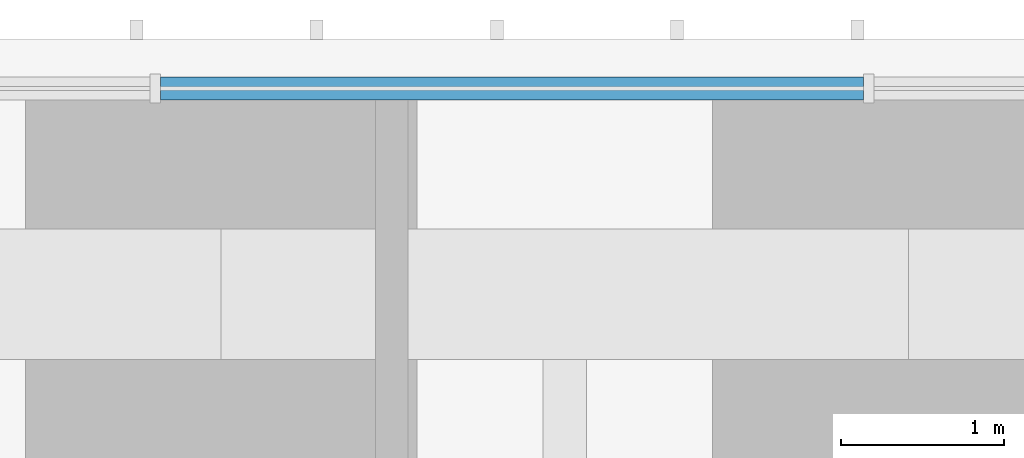
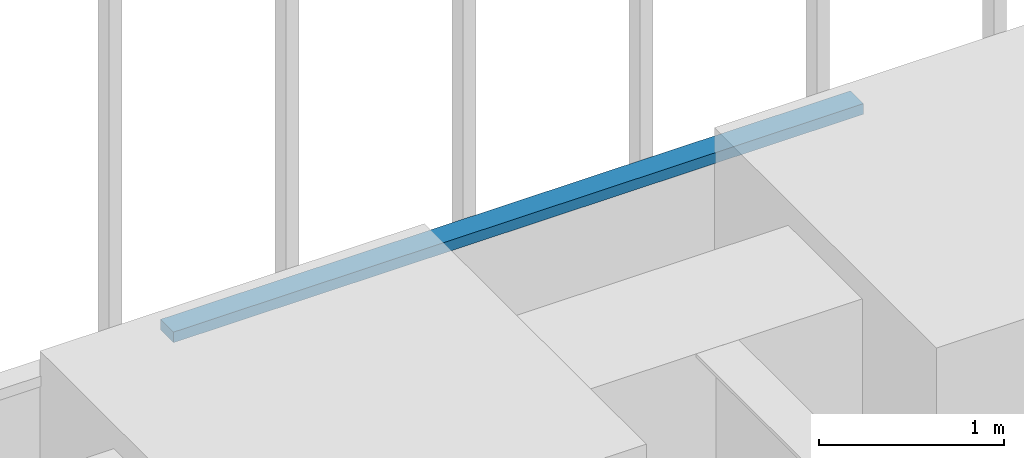
# One storey, part 177 of 256: 1 member, 1 element without a shape of its own.
"""IFC4 building model written with IfcOpenShell, lengths in metres."""

from ifc_helpers import new_model, si_unit, direction, frame, origin, origin_2d, place, context, subcontext, project, spatial, rectangle, extrude, material, material_profile, profile_set, type_object, element, aggregate, save


model = new_model("IFC4")

# Units and contexts
model_context = context("Model", 3, precision=1e-05, world=origin(), true_north=direction((0.0, 1.0)))
body_context = subcontext(model_context, "Body", "Model", "MODEL_VIEW")
ifc_project = project(units=[si_unit("LENGTHUNIT", "METRE"), si_unit("AREAUNIT", "SQUARE_METRE"), si_unit("VOLUMEUNIT", "CUBIC_METRE"), si_unit("PLANEANGLEUNIT", "RADIAN"), si_unit("MASSUNIT", "GRAM", prefix="KILO")], contexts=[model_context])

# Site, building, storey
site_placement = place(None, origin())
site = spatial("IfcSite", under=ifc_project, at=site_placement, CompositionType="ELEMENT")
building_placement = place(site_placement, origin())
building = spatial("IfcBuilding", under=site, at=building_placement, Name="Sandreach Pilgrim Tower", CompositionType="ELEMENT")
storey_placement = place(building_placement, frame((0.0, 0.0, 23.0)))
storey = spatial("IfcBuildingStorey", under=building, at=storey_placement, Name="L04", CompositionType="ELEMENT", Elevation=23.0)

# Curtain wall, member
ifc_material_1 = material(Name="Aluminium framed curtain wall", Category="aluminium")
curtain_wall_type = type_object("IfcCurtainWallType", Name="Hostel tower curtain wall", PredefinedType="NOTDEFINED", material=ifc_material_1)
curtain_wall_placement = place(storey_placement, origin())
curtain_wall = element("IfcCurtainWall", 1, at=curtain_wall_placement, inside=storey, type_object=curtain_wall_type, Name="CW-1 L04 N", PredefinedType="NOTDEFINED")
ifc_material_2 = material(Name="Aluminium extrusion", Category="aluminium")
ifc_material_profile = material_profile(ifc_material_2, rectangle(XDim=0.139892578125, YDim=0.070068359375, at=origin_2d()), Name="CW-1T 140X70")
ifc_profile_set = profile_set([ifc_material_profile], Name="Aluminium extrusion")
member_type = type_object("IfcMemberType", Name="CW-1 transom", PredefinedType="USERDEFINED", material=ifc_profile_set)
member_placement = place(storey_placement, frame((-10.896484375, 23.94873046875, 3.60498046875), z_axis=(1.0, 0.0, 0.0), x_axis=(0.0, 1.0, 0.0)))
member = element("IfcMember", 2, at=member_placement, type_object=member_type, Name="CW-1 head transom 3", ObjectType="TRANSOM", PredefinedType="USERDEFINED", context=body_context, shape_type="SweptSolid", body=[
    extrude(rectangle(XDim=0.139892578125, YDim=0.070068359375, at=origin_2d()), origin(), (0.0, 0.0, 1.0), 4.306640625),
])
aggregate(curtain_wall, [member])

save(model, "model.ifc")
